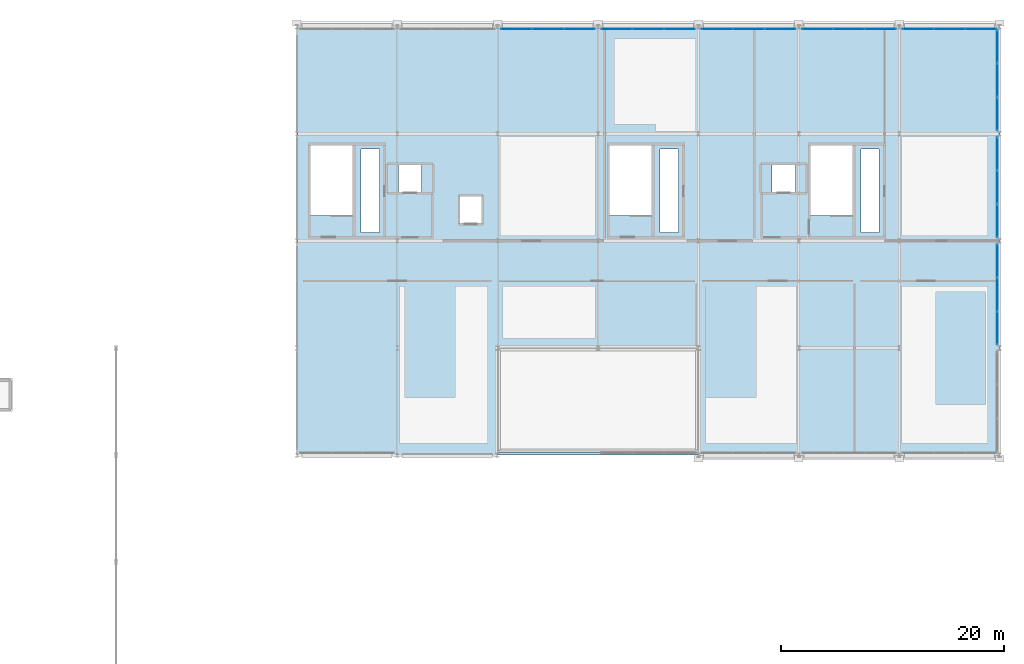
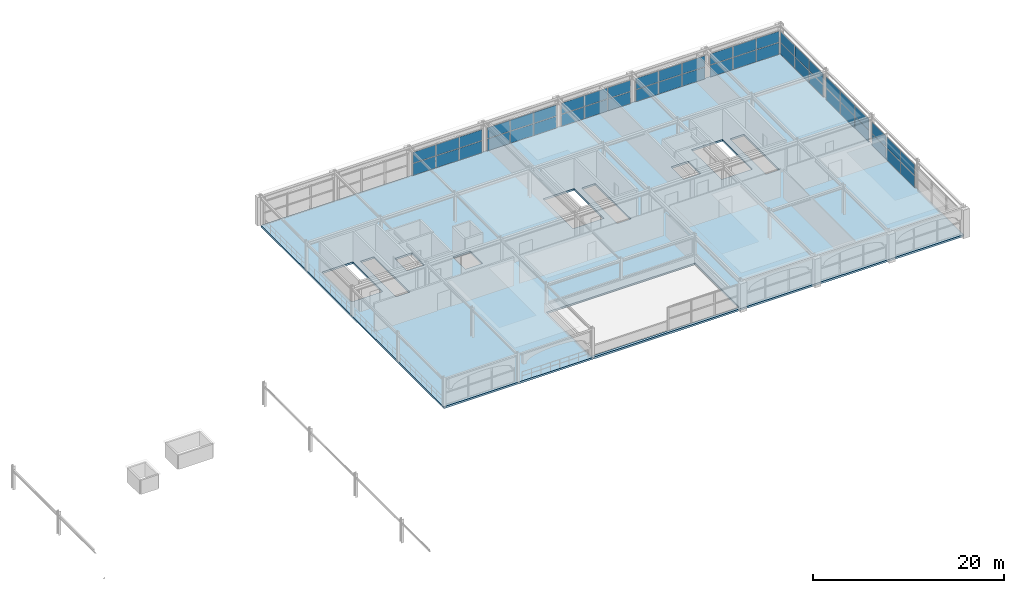
# One storey, part 18 of 25: 48 plates, 1 slab, 8 elements without a shape of their own.
"""IFC4 building model written with IfcOpenShell, lengths in metres."""

from ifc_helpers import new_model, si_unit, direction, frame, origin, origin_2d, place, context, subcontext, project, spatial, polyline, rectangle, outline, extrude, material, layer, layer_set, type_object, element, aggregate, save


model = new_model("IFC4")

# Units and contexts
model_context = context("Model", 3, precision=1e-05, world=origin(), true_north=direction((0.0, 1.0)))
body_context = subcontext(model_context, "Body", "Model", "MODEL_VIEW")
ifc_project = project(units=[si_unit("LENGTHUNIT", "METRE"), si_unit("AREAUNIT", "SQUARE_METRE"), si_unit("VOLUMEUNIT", "CUBIC_METRE"), si_unit("PLANEANGLEUNIT", "RADIAN"), si_unit("MASSUNIT", "GRAM", prefix="KILO")], contexts=[model_context])

# Site, building, storey
site_placement = place(None, origin())
site = spatial("IfcSite", under=ifc_project, at=site_placement, CompositionType="ELEMENT")
building_placement = place(site_placement, origin())
building = spatial("IfcBuilding", under=site, at=building_placement, Name="Myrtia Square Station", CompositionType="ELEMENT")
storey_placement = place(building_placement, frame((0.0, 0.0, 18.89990234375)))
storey = spatial("IfcBuildingStorey", under=building, at=storey_placement, Name="L04", CompositionType="ELEMENT", Elevation=18.89990234375)

# Curtain wall, plates
ifc_material_1 = material(Name="Dark bronze anodised aluminium", Category="aluminium")
ifc_layer_1 = layer(ifc_material_1, 0.159912109375, Name="Dark bronze anodised aluminium")
ifc_layer_set_1 = layer_set([ifc_layer_1], Name="Dark bronze anodised aluminium")
curtain_wall_type_1 = type_object("IfcCurtainWallType", Name="CW-TYPE-42-850x310", PredefinedType="USERDEFINED", material=ifc_layer_set_1)
curtain_wall_1_placement = place(storey_placement, origin())
curtain_wall_1 = element("IfcCurtainWall", 1, at=curtain_wall_1_placement, inside=storey, type_object=curtain_wall_type_1, Name="Concourse curtain wall CW-L04-139", ObjectType="CONCOURSE CURTAIN WALL", PredefinedType="USERDEFINED")
ifc_material_2 = material(Name="Tinted low-E solar control glass", Category="glass")
ifc_layer_2 = layer(ifc_material_2, 0.02392578125, Name="Tinted low-E solar control glass")
ifc_layer_set_2 = layer_set([ifc_layer_2], Name="Tinted low-E solar control glass")
plate_type_1 = type_object("IfcPlateType", Name="CWP-GLZ-24", PredefinedType="CURTAIN_PANEL", material=ifc_layer_set_2)
plate_1_placement = place(storey_placement, frame((163.682861328125, 124.60009765625, 0.06494140625), z_axis=(0.0, 0.0, 1.0), x_axis=(1.0, 0.0, 0.0)))
plate_1 = element("IfcPlate", 2, at=plate_1_placement, type_object=plate_type_1, Name="CW-139 panel 1.1", PredefinedType="CURTAIN_PANEL", context=body_context, shape_type="SweptSolid", body=[
    extrude(rectangle(XDim=2.73583984375, YDim=0.02392578125, at=origin_2d()), origin(), (0.0, 0.0, 1.0), 1.514404296875),
])
plate_2_placement = place(storey_placement, frame((163.682861328125, 124.60009765625, 1.64453125), z_axis=(0.0, 0.0, 1.0), x_axis=(1.0, 0.0, 0.0)))
plate_2 = element("IfcPlate", 3, at=plate_2_placement, type_object=plate_type_1, Name="CW-139 panel 1.2", PredefinedType="CURTAIN_PANEL", context=body_context, shape_type="SweptSolid", body=[
    extrude(rectangle(XDim=2.73583984375, YDim=0.02392578125, at=origin_2d()), origin(), (0.0, 0.0, 1.0), 1.390380859375),
])
plate_3_placement = place(storey_placement, frame((166.5, 124.60009765625, 0.06494140625), z_axis=(0.0, 0.0, 1.0), x_axis=(1.0, 0.0, 0.0)))
plate_3 = element("IfcPlate", 4, at=plate_3_placement, type_object=plate_type_1, Name="CW-139 panel 2.1", PredefinedType="CURTAIN_PANEL", context=body_context, shape_type="SweptSolid", body=[
    extrude(rectangle(XDim=2.768310546875, YDim=0.02392578125, at=origin_2d()), origin(), (0.0, 0.0, 1.0), 1.514404296875),
])
plate_4_placement = place(storey_placement, frame((166.5, 124.60009765625, 1.64453125), z_axis=(0.0, 0.0, 1.0), x_axis=(1.0, 0.0, 0.0)))
plate_4 = element("IfcPlate", 5, at=plate_4_placement, type_object=plate_type_1, Name="CW-139 panel 2.2", PredefinedType="CURTAIN_PANEL", context=body_context, shape_type="SweptSolid", body=[
    extrude(rectangle(XDim=2.768310546875, YDim=0.02392578125, at=origin_2d()), origin(), (0.0, 0.0, 1.0), 1.390380859375),
])
plate_5_placement = place(storey_placement, frame((169.317138671875, 124.60009765625, 0.06494140625), z_axis=(0.0, 0.0, 1.0), x_axis=(1.0, 0.0, 0.0)))
plate_5 = element("IfcPlate", 6, at=plate_5_placement, type_object=plate_type_1, Name="CW-139 panel 3.1", PredefinedType="CURTAIN_PANEL", context=body_context, shape_type="SweptSolid", body=[
    extrude(rectangle(XDim=2.73583984375, YDim=0.02392578125, at=origin_2d()), origin(), (0.0, 0.0, 1.0), 1.514404296875),
])
plate_6_placement = place(storey_placement, frame((169.317138671875, 124.60009765625, 1.64453125), z_axis=(0.0, 0.0, 1.0), x_axis=(1.0, 0.0, 0.0)))
plate_6 = element("IfcPlate", 7, at=plate_6_placement, type_object=plate_type_1, Name="CW-139 panel 3.2", PredefinedType="CURTAIN_PANEL", context=body_context, shape_type="SweptSolid", body=[
    extrude(rectangle(XDim=2.73583984375, YDim=0.02392578125, at=origin_2d()), origin(), (0.0, 0.0, 1.0), 1.390380859375),
])
aggregate(curtain_wall_1, [plate_1, plate_2, plate_3, plate_4, plate_5, plate_6])

ifc_layer_3 = layer(ifc_material_1, 0.159912109375, Name="Dark bronze anodised aluminium")
ifc_layer_set_3 = layer_set([ifc_layer_3], Name="Dark bronze anodised aluminium")
curtain_wall_type_2 = type_object("IfcCurtainWallType", Name="CW-TYPE-46-910x310", PredefinedType="USERDEFINED", material=ifc_layer_set_3)
curtain_wall_2_placement = place(storey_placement, origin())
curtain_wall_2 = element("IfcCurtainWall", 8, at=curtain_wall_2_placement, inside=storey, type_object=curtain_wall_type_2, Name="Concourse curtain wall CW-L04-154", ObjectType="CONCOURSE CURTAIN WALL", PredefinedType="USERDEFINED")
plate_7_placement = place(storey_placement, frame((188.800048828125, 116.9853515625, 0.0751953125), z_axis=(0.0, 0.0, 1.0), x_axis=(0.0, 1.0, 0.0)))
plate_7 = element("IfcPlate", 9, at=plate_7_placement, type_object=plate_type_1, Name="CW-154 panel 1.1", PredefinedType="CURTAIN_PANEL", context=body_context, shape_type="SweptSolid", body=[
    extrude(rectangle(XDim=2.9208984375, YDim=0.02392578125, at=origin_2d()), origin(), (0.0, 0.0, 1.0), 1.49951171875),
])
plate_8_placement = place(storey_placement, frame((188.800048828125, 116.9853515625, 1.649658203125), z_axis=(0.0, 0.0, 1.0), x_axis=(0.0, 1.0, 0.0)))
plate_8 = element("IfcPlate", 10, at=plate_8_placement, type_object=plate_type_1, Name="CW-154 panel 1.2", PredefinedType="CURTAIN_PANEL", context=body_context, shape_type="SweptSolid", body=[
    extrude(rectangle(XDim=2.9208984375, YDim=0.02392578125, at=origin_2d()), origin(), (0.0, 0.0, 1.0), 1.37548828125),
])
plate_9_placement = place(storey_placement, frame((188.800048828125, 120.0, 0.0751953125), z_axis=(0.0, 0.0, 1.0), x_axis=(0.0, 1.0, 0.0)))
plate_9 = element("IfcPlate", 11, at=plate_9_placement, type_object=plate_type_1, Name="CW-154 panel 2.1", PredefinedType="CURTAIN_PANEL", context=body_context, shape_type="SweptSolid", body=[
    extrude(rectangle(XDim=2.958251953125, YDim=0.02392578125, at=origin_2d()), origin(), (0.0, 0.0, 1.0), 1.49951171875),
])
plate_10_placement = place(storey_placement, frame((188.800048828125, 120.0, 1.649658203125), z_axis=(0.0, 0.0, 1.0), x_axis=(0.0, 1.0, 0.0)))
plate_10 = element("IfcPlate", 12, at=plate_10_placement, type_object=plate_type_1, Name="CW-154 panel 2.2", PredefinedType="CURTAIN_PANEL", context=body_context, shape_type="SweptSolid", body=[
    extrude(rectangle(XDim=2.958251953125, YDim=0.02392578125, at=origin_2d()), origin(), (0.0, 0.0, 1.0), 1.37548828125),
])
plate_11_placement = place(storey_placement, frame((188.800048828125, 123.0146484375, 0.0751953125), z_axis=(0.0, 0.0, 1.0), x_axis=(0.0, 1.0, 0.0)))
plate_11 = element("IfcPlate", 13, at=plate_11_placement, type_object=plate_type_1, Name="CW-154 panel 3.1", PredefinedType="CURTAIN_PANEL", context=body_context, shape_type="SweptSolid", body=[
    extrude(rectangle(XDim=2.9208984375, YDim=0.02392578125, at=origin_2d()), origin(), (0.0, 0.0, 1.0), 1.49951171875),
])
plate_12_placement = place(storey_placement, frame((188.800048828125, 123.0146484375, 1.649658203125), z_axis=(0.0, 0.0, 1.0), x_axis=(0.0, 1.0, 0.0)))
plate_12 = element("IfcPlate", 14, at=plate_12_placement, type_object=plate_type_1, Name="CW-154 panel 3.2", PredefinedType="CURTAIN_PANEL", context=body_context, shape_type="SweptSolid", body=[
    extrude(rectangle(XDim=2.9208984375, YDim=0.02392578125, at=origin_2d()), origin(), (0.0, 0.0, 1.0), 1.37548828125),
])
aggregate(curtain_wall_2, [plate_7, plate_8, plate_9, plate_10, plate_11, plate_12])

curtain_wall_3_placement = place(storey_placement, origin())
curtain_wall_3 = element("IfcCurtainWall", 15, at=curtain_wall_3_placement, inside=storey, type_object=curtain_wall_type_1, Name="Concourse curtain wall CW-L04-144", ObjectType="CONCOURSE CURTAIN WALL", PredefinedType="USERDEFINED")
ifc_layer_4 = layer(ifc_material_2, 0.028076171875, Name="Tinted low-E solar control glass")
ifc_layer_set_4 = layer_set([ifc_layer_4], Name="Tinted low-E solar control glass")
plate_type_2 = type_object("IfcPlateType", Name="CWP-GLZ-28", PredefinedType="CURTAIN_PANEL", material=ifc_layer_set_4)
plate_13_placement = place(storey_placement, frame((172.682861328125, 124.60009765625, 0.06494140625), z_axis=(0.0, 0.0, 1.0), x_axis=(1.0, 0.0, 0.0)))
plate_13 = element("IfcPlate", 16, at=plate_13_placement, type_object=plate_type_2, Name="CW-144 panel 1.1", PredefinedType="CURTAIN_PANEL", context=body_context, shape_type="SweptSolid", body=[
    extrude(rectangle(XDim=2.73583984375, YDim=0.028076171875, at=origin_2d()), origin(), (0.0, 0.0, 1.0), 1.514404296875),
])
plate_14_placement = place(storey_placement, frame((172.682861328125, 124.60009765625, 1.64453125), z_axis=(0.0, 0.0, 1.0), x_axis=(1.0, 0.0, 0.0)))
plate_14 = element("IfcPlate", 17, at=plate_14_placement, type_object=plate_type_2, Name="CW-144 panel 1.2", PredefinedType="CURTAIN_PANEL", context=body_context, shape_type="SweptSolid", body=[
    extrude(rectangle(XDim=2.73583984375, YDim=0.028076171875, at=origin_2d()), origin(), (0.0, 0.0, 1.0), 1.390380859375),
])
plate_15_placement = place(storey_placement, frame((175.5, 124.60009765625, 0.06494140625), z_axis=(0.0, 0.0, 1.0), x_axis=(1.0, 0.0, 0.0)))
plate_15 = element("IfcPlate", 18, at=plate_15_placement, type_object=plate_type_2, Name="CW-144 panel 2.1", PredefinedType="CURTAIN_PANEL", context=body_context, shape_type="SweptSolid", body=[
    extrude(rectangle(XDim=2.768310546875, YDim=0.028076171875, at=origin_2d()), origin(), (0.0, 0.0, 1.0), 1.514404296875),
])
plate_16_placement = place(storey_placement, frame((175.5, 124.60009765625, 1.64453125), z_axis=(0.0, 0.0, 1.0), x_axis=(1.0, 0.0, 0.0)))
plate_16 = element("IfcPlate", 19, at=plate_16_placement, type_object=plate_type_2, Name="CW-144 panel 2.2", PredefinedType="CURTAIN_PANEL", context=body_context, shape_type="SweptSolid", body=[
    extrude(rectangle(XDim=2.768310546875, YDim=0.028076171875, at=origin_2d()), origin(), (0.0, 0.0, 1.0), 1.390380859375),
])
plate_17_placement = place(storey_placement, frame((178.317138671875, 124.60009765625, 0.06494140625), z_axis=(0.0, 0.0, 1.0), x_axis=(1.0, 0.0, 0.0)))
plate_17 = element("IfcPlate", 20, at=plate_17_placement, type_object=plate_type_2, Name="CW-144 panel 3.1", PredefinedType="CURTAIN_PANEL", context=body_context, shape_type="SweptSolid", body=[
    extrude(rectangle(XDim=2.73583984375, YDim=0.028076171875, at=origin_2d()), origin(), (0.0, 0.0, 1.0), 1.514404296875),
])
plate_18_placement = place(storey_placement, frame((178.317138671875, 124.60009765625, 1.64453125), z_axis=(0.0, 0.0, 1.0), x_axis=(1.0, 0.0, 0.0)))
plate_18 = element("IfcPlate", 21, at=plate_18_placement, type_object=plate_type_2, Name="CW-144 panel 3.2", PredefinedType="CURTAIN_PANEL", context=body_context, shape_type="SweptSolid", body=[
    extrude(rectangle(XDim=2.73583984375, YDim=0.028076171875, at=origin_2d()), origin(), (0.0, 0.0, 1.0), 1.390380859375),
])
aggregate(curtain_wall_3, [plate_13, plate_14, plate_15, plate_16, plate_17, plate_18])

curtain_wall_4_placement = place(storey_placement, origin())
curtain_wall_4 = element("IfcCurtainWall", 22, at=curtain_wall_4_placement, inside=storey, type_object=curtain_wall_type_1, Name="Concourse curtain wall CW-L04-149", ObjectType="CONCOURSE CURTAIN WALL", PredefinedType="USERDEFINED")
ifc_layer_5 = layer(ifc_material_2, 0.031982421875, Name="Tinted low-E solar control glass")
ifc_layer_set_5 = layer_set([ifc_layer_5], Name="Tinted low-E solar control glass")
plate_type_3 = type_object("IfcPlateType", Name="CWP-GLZ-32", PredefinedType="CURTAIN_PANEL", material=ifc_layer_set_5)
plate_19_placement = place(storey_placement, frame((181.682861328125, 124.60009765625, 0.06494140625), z_axis=(0.0, 0.0, 1.0), x_axis=(1.0, 0.0, 0.0)))
plate_19 = element("IfcPlate", 23, at=plate_19_placement, type_object=plate_type_3, Name="CW-149 panel 1.1", PredefinedType="CURTAIN_PANEL", context=body_context, shape_type="SweptSolid", body=[
    extrude(rectangle(XDim=2.73583984375, YDim=0.031982421875, at=origin_2d()), origin(), (0.0, 0.0, 1.0), 1.514404296875),
])
plate_20_placement = place(storey_placement, frame((181.682861328125, 124.60009765625, 1.64453125), z_axis=(0.0, 0.0, 1.0), x_axis=(1.0, 0.0, 0.0)))
plate_20 = element("IfcPlate", 24, at=plate_20_placement, type_object=plate_type_3, Name="CW-149 panel 1.2", PredefinedType="CURTAIN_PANEL", context=body_context, shape_type="SweptSolid", body=[
    extrude(rectangle(XDim=2.73583984375, YDim=0.031982421875, at=origin_2d()), origin(), (0.0, 0.0, 1.0), 1.390380859375),
])
plate_21_placement = place(storey_placement, frame((184.5, 124.60009765625, 0.06494140625), z_axis=(0.0, 0.0, 1.0), x_axis=(1.0, 0.0, 0.0)))
plate_21 = element("IfcPlate", 25, at=plate_21_placement, type_object=plate_type_3, Name="CW-149 panel 2.1", PredefinedType="CURTAIN_PANEL", context=body_context, shape_type="SweptSolid", body=[
    extrude(rectangle(XDim=2.768310546875, YDim=0.031982421875, at=origin_2d()), origin(), (0.0, 0.0, 1.0), 1.514404296875),
])
plate_22_placement = place(storey_placement, frame((184.5, 124.60009765625, 1.64453125), z_axis=(0.0, 0.0, 1.0), x_axis=(1.0, 0.0, 0.0)))
plate_22 = element("IfcPlate", 26, at=plate_22_placement, type_object=plate_type_3, Name="CW-149 panel 2.2", PredefinedType="CURTAIN_PANEL", context=body_context, shape_type="SweptSolid", body=[
    extrude(rectangle(XDim=2.768310546875, YDim=0.031982421875, at=origin_2d()), origin(), (0.0, 0.0, 1.0), 1.390380859375),
])
plate_23_placement = place(storey_placement, frame((187.317138671875, 124.60009765625, 0.06494140625), z_axis=(0.0, 0.0, 1.0), x_axis=(1.0, 0.0, 0.0)))
plate_23 = element("IfcPlate", 27, at=plate_23_placement, type_object=plate_type_3, Name="CW-149 panel 3.1", PredefinedType="CURTAIN_PANEL", context=body_context, shape_type="SweptSolid", body=[
    extrude(rectangle(XDim=2.73583984375, YDim=0.031982421875, at=origin_2d()), origin(), (0.0, 0.0, 1.0), 1.514404296875),
])
plate_24_placement = place(storey_placement, frame((187.317138671875, 124.60009765625, 1.64453125), z_axis=(0.0, 0.0, 1.0), x_axis=(1.0, 0.0, 0.0)))
plate_24 = element("IfcPlate", 28, at=plate_24_placement, type_object=plate_type_3, Name="CW-149 panel 3.2", PredefinedType="CURTAIN_PANEL", context=body_context, shape_type="SweptSolid", body=[
    extrude(rectangle(XDim=2.73583984375, YDim=0.031982421875, at=origin_2d()), origin(), (0.0, 0.0, 1.0), 1.390380859375),
])
aggregate(curtain_wall_4, [plate_19, plate_20, plate_21, plate_22, plate_23, plate_24])

curtain_wall_5_placement = place(storey_placement, origin())
curtain_wall_5 = element("IfcCurtainWall", 29, at=curtain_wall_5_placement, inside=storey, type_object=curtain_wall_type_2, Name="Concourse curtain wall CW-L04-152", ObjectType="CONCOURSE CURTAIN WALL", PredefinedType="USERDEFINED")
plate_25_placement = place(storey_placement, frame((188.800048828125, 97.785400390625, 0.0751953125), z_axis=(0.0, 0.0, 1.0), x_axis=(0.0, 1.0, 0.0)))
plate_25 = element("IfcPlate", 30, at=plate_25_placement, type_object=plate_type_3, Name="CW-152 panel 1.1", PredefinedType="CURTAIN_PANEL", context=body_context, shape_type="SweptSolid", body=[
    extrude(rectangle(XDim=2.9208984375, YDim=0.031982421875, at=origin_2d()), origin(), (0.0, 0.0, 1.0), 1.49951171875),
])
plate_26_placement = place(storey_placement, frame((188.800048828125, 97.785400390625, 1.649658203125), z_axis=(0.0, 0.0, 1.0), x_axis=(0.0, 1.0, 0.0)))
plate_26 = element("IfcPlate", 31, at=plate_26_placement, type_object=plate_type_3, Name="CW-152 panel 1.2", PredefinedType="CURTAIN_PANEL", context=body_context, shape_type="SweptSolid", body=[
    extrude(rectangle(XDim=2.9208984375, YDim=0.031982421875, at=origin_2d()), origin(), (0.0, 0.0, 1.0), 1.37548828125),
])
plate_27_placement = place(storey_placement, frame((188.800048828125, 100.800048828125, 0.0751953125), z_axis=(0.0, 0.0, 1.0), x_axis=(0.0, 1.0, 0.0)))
plate_27 = element("IfcPlate", 32, at=plate_27_placement, type_object=plate_type_3, Name="CW-152 panel 2.1", PredefinedType="CURTAIN_PANEL", context=body_context, shape_type="SweptSolid", body=[
    extrude(rectangle(XDim=2.958251953125, YDim=0.031982421875, at=origin_2d()), origin(), (0.0, 0.0, 1.0), 1.49951171875),
])
plate_28_placement = place(storey_placement, frame((188.800048828125, 100.800048828125, 1.649658203125), z_axis=(0.0, 0.0, 1.0), x_axis=(0.0, 1.0, 0.0)))
plate_28 = element("IfcPlate", 33, at=plate_28_placement, type_object=plate_type_3, Name="CW-152 panel 2.2", PredefinedType="CURTAIN_PANEL", context=body_context, shape_type="SweptSolid", body=[
    extrude(rectangle(XDim=2.958251953125, YDim=0.031982421875, at=origin_2d()), origin(), (0.0, 0.0, 1.0), 1.37548828125),
])
plate_29_placement = place(storey_placement, frame((188.800048828125, 103.814697265625, 0.0751953125), z_axis=(0.0, 0.0, 1.0), x_axis=(0.0, 1.0, 0.0)))
plate_29 = element("IfcPlate", 34, at=plate_29_placement, type_object=plate_type_3, Name="CW-152 panel 3.1", PredefinedType="CURTAIN_PANEL", context=body_context, shape_type="SweptSolid", body=[
    extrude(rectangle(XDim=2.9208984375, YDim=0.031982421875, at=origin_2d()), origin(), (0.0, 0.0, 1.0), 1.49951171875),
])
plate_30_placement = place(storey_placement, frame((188.800048828125, 103.814697265625, 1.649658203125), z_axis=(0.0, 0.0, 1.0), x_axis=(0.0, 1.0, 0.0)))
plate_30 = element("IfcPlate", 35, at=plate_30_placement, type_object=plate_type_3, Name="CW-152 panel 3.2", PredefinedType="CURTAIN_PANEL", context=body_context, shape_type="SweptSolid", body=[
    extrude(rectangle(XDim=2.9208984375, YDim=0.031982421875, at=origin_2d()), origin(), (0.0, 0.0, 1.0), 1.37548828125),
])
aggregate(curtain_wall_5, [plate_25, plate_26, plate_27, plate_28, plate_29, plate_30])

curtain_wall_6_placement = place(storey_placement, origin())
curtain_wall_6 = element("IfcCurtainWall", 36, at=curtain_wall_6_placement, inside=storey, type_object=curtain_wall_type_1, Name="Concourse curtain wall CW-L04-130", ObjectType="CONCOURSE CURTAIN WALL", PredefinedType="USERDEFINED")
ifc_layer_6 = layer(ifc_material_2, 0.035888671875, Name="Tinted low-E solar control glass")
ifc_layer_set_6 = layer_set([ifc_layer_6], Name="Tinted low-E solar control glass")
plate_type_4 = type_object("IfcPlateType", Name="CWP-GLZ-36", PredefinedType="CURTAIN_PANEL", material=ifc_layer_set_6)
plate_31_placement = place(storey_placement, frame((145.682861328125, 124.60009765625, 0.06494140625), z_axis=(0.0, 0.0, 1.0), x_axis=(1.0, 0.0, 0.0)))
plate_31 = element("IfcPlate", 37, at=plate_31_placement, type_object=plate_type_4, Name="CW-130 panel 1.1", PredefinedType="CURTAIN_PANEL", context=body_context, shape_type="SweptSolid", body=[
    extrude(rectangle(XDim=2.73583984375, YDim=0.035888671875, at=origin_2d()), origin(), (0.0, 0.0, 1.0), 1.514404296875),
])
plate_32_placement = place(storey_placement, frame((145.682861328125, 124.60009765625, 1.64453125), z_axis=(0.0, 0.0, 1.0), x_axis=(1.0, 0.0, 0.0)))
plate_32 = element("IfcPlate", 38, at=plate_32_placement, type_object=plate_type_4, Name="CW-130 panel 1.2", PredefinedType="CURTAIN_PANEL", context=body_context, shape_type="SweptSolid", body=[
    extrude(rectangle(XDim=2.73583984375, YDim=0.035888671875, at=origin_2d()), origin(), (0.0, 0.0, 1.0), 1.390380859375),
])
plate_33_placement = place(storey_placement, frame((148.5, 124.60009765625, 0.06494140625), z_axis=(0.0, 0.0, 1.0), x_axis=(1.0, 0.0, 0.0)))
plate_33 = element("IfcPlate", 39, at=plate_33_placement, type_object=plate_type_4, Name="CW-130 panel 2.1", PredefinedType="CURTAIN_PANEL", context=body_context, shape_type="SweptSolid", body=[
    extrude(rectangle(XDim=2.768310546875, YDim=0.035888671875, at=origin_2d()), origin(), (0.0, 0.0, 1.0), 1.514404296875),
])
plate_34_placement = place(storey_placement, frame((148.5, 124.60009765625, 1.64453125), z_axis=(0.0, 0.0, 1.0), x_axis=(1.0, 0.0, 0.0)))
plate_34 = element("IfcPlate", 40, at=plate_34_placement, type_object=plate_type_4, Name="CW-130 panel 2.2", PredefinedType="CURTAIN_PANEL", context=body_context, shape_type="SweptSolid", body=[
    extrude(rectangle(XDim=2.768310546875, YDim=0.035888671875, at=origin_2d()), origin(), (0.0, 0.0, 1.0), 1.390380859375),
])
plate_35_placement = place(storey_placement, frame((151.317138671875, 124.60009765625, 0.06494140625), z_axis=(0.0, 0.0, 1.0), x_axis=(1.0, 0.0, 0.0)))
plate_35 = element("IfcPlate", 41, at=plate_35_placement, type_object=plate_type_4, Name="CW-130 panel 3.1", PredefinedType="CURTAIN_PANEL", context=body_context, shape_type="SweptSolid", body=[
    extrude(rectangle(XDim=2.73583984375, YDim=0.035888671875, at=origin_2d()), origin(), (0.0, 0.0, 1.0), 1.514404296875),
])
plate_36_placement = place(storey_placement, frame((151.317138671875, 124.60009765625, 1.64453125), z_axis=(0.0, 0.0, 1.0), x_axis=(1.0, 0.0, 0.0)))
plate_36 = element("IfcPlate", 42, at=plate_36_placement, type_object=plate_type_4, Name="CW-130 panel 3.2", PredefinedType="CURTAIN_PANEL", context=body_context, shape_type="SweptSolid", body=[
    extrude(rectangle(XDim=2.73583984375, YDim=0.035888671875, at=origin_2d()), origin(), (0.0, 0.0, 1.0), 1.390380859375),
])
aggregate(curtain_wall_6, [plate_31, plate_32, plate_33, plate_34, plate_35, plate_36])

curtain_wall_7_placement = place(storey_placement, origin())
curtain_wall_7 = element("IfcCurtainWall", 43, at=curtain_wall_7_placement, inside=storey, type_object=curtain_wall_type_1, Name="Concourse curtain wall CW-L04-134", ObjectType="CONCOURSE CURTAIN WALL", PredefinedType="USERDEFINED")
plate_37_placement = place(storey_placement, frame((154.682861328125, 124.60009765625, 0.06494140625), z_axis=(0.0, 0.0, 1.0), x_axis=(1.0, 0.0, 0.0)))
plate_37 = element("IfcPlate", 44, at=plate_37_placement, type_object=plate_type_4, Name="CW-134 panel 1.1", PredefinedType="CURTAIN_PANEL", context=body_context, shape_type="SweptSolid", body=[
    extrude(rectangle(XDim=2.73583984375, YDim=0.035888671875, at=origin_2d()), origin(), (0.0, 0.0, 1.0), 1.514404296875),
])
plate_38_placement = place(storey_placement, frame((154.682861328125, 124.60009765625, 1.64453125), z_axis=(0.0, 0.0, 1.0), x_axis=(1.0, 0.0, 0.0)))
plate_38 = element("IfcPlate", 45, at=plate_38_placement, type_object=plate_type_4, Name="CW-134 panel 1.2", PredefinedType="CURTAIN_PANEL", context=body_context, shape_type="SweptSolid", body=[
    extrude(rectangle(XDim=2.73583984375, YDim=0.035888671875, at=origin_2d()), origin(), (0.0, 0.0, 1.0), 1.390380859375),
])
plate_39_placement = place(storey_placement, frame((157.5, 124.60009765625, 0.06494140625), z_axis=(0.0, 0.0, 1.0), x_axis=(1.0, 0.0, 0.0)))
plate_39 = element("IfcPlate", 46, at=plate_39_placement, type_object=plate_type_4, Name="CW-134 panel 2.1", PredefinedType="CURTAIN_PANEL", context=body_context, shape_type="SweptSolid", body=[
    extrude(rectangle(XDim=2.768310546875, YDim=0.035888671875, at=origin_2d()), origin(), (0.0, 0.0, 1.0), 1.514404296875),
])
plate_40_placement = place(storey_placement, frame((157.5, 124.60009765625, 1.64453125), z_axis=(0.0, 0.0, 1.0), x_axis=(1.0, 0.0, 0.0)))
plate_40 = element("IfcPlate", 47, at=plate_40_placement, type_object=plate_type_4, Name="CW-134 panel 2.2", PredefinedType="CURTAIN_PANEL", context=body_context, shape_type="SweptSolid", body=[
    extrude(rectangle(XDim=2.768310546875, YDim=0.035888671875, at=origin_2d()), origin(), (0.0, 0.0, 1.0), 1.390380859375),
])
plate_41_placement = place(storey_placement, frame((160.317138671875, 124.60009765625, 0.06494140625), z_axis=(0.0, 0.0, 1.0), x_axis=(1.0, 0.0, 0.0)))
plate_41 = element("IfcPlate", 48, at=plate_41_placement, type_object=plate_type_4, Name="CW-134 panel 3.1", PredefinedType="CURTAIN_PANEL", context=body_context, shape_type="SweptSolid", body=[
    extrude(rectangle(XDim=2.73583984375, YDim=0.035888671875, at=origin_2d()), origin(), (0.0, 0.0, 1.0), 1.514404296875),
])
plate_42_placement = place(storey_placement, frame((160.317138671875, 124.60009765625, 1.64453125), z_axis=(0.0, 0.0, 1.0), x_axis=(1.0, 0.0, 0.0)))
plate_42 = element("IfcPlate", 49, at=plate_42_placement, type_object=plate_type_4, Name="CW-134 panel 3.2", PredefinedType="CURTAIN_PANEL", context=body_context, shape_type="SweptSolid", body=[
    extrude(rectangle(XDim=2.73583984375, YDim=0.035888671875, at=origin_2d()), origin(), (0.0, 0.0, 1.0), 1.390380859375),
])
aggregate(curtain_wall_7, [plate_37, plate_38, plate_39, plate_40, plate_41, plate_42])

curtain_wall_8_placement = place(storey_placement, origin())
curtain_wall_8 = element("IfcCurtainWall", 50, at=curtain_wall_8_placement, inside=storey, type_object=curtain_wall_type_2, Name="Concourse curtain wall CW-L04-153", ObjectType="CONCOURSE CURTAIN WALL", PredefinedType="USERDEFINED")
plate_43_placement = place(storey_placement, frame((188.800048828125, 107.385498046875, 0.0751953125), z_axis=(0.0, 0.0, 1.0), x_axis=(0.0, 1.0, 0.0)))
plate_43 = element("IfcPlate", 51, at=plate_43_placement, type_object=plate_type_4, Name="CW-153 panel 1.1", PredefinedType="CURTAIN_PANEL", context=body_context, shape_type="SweptSolid", body=[
    extrude(rectangle(XDim=2.9208984375, YDim=0.035888671875, at=origin_2d()), origin(), (0.0, 0.0, 1.0), 1.49951171875),
])
plate_44_placement = place(storey_placement, frame((188.800048828125, 107.385498046875, 1.649658203125), z_axis=(0.0, 0.0, 1.0), x_axis=(0.0, 1.0, 0.0)))
plate_44 = element("IfcPlate", 52, at=plate_44_placement, type_object=plate_type_4, Name="CW-153 panel 1.2", PredefinedType="CURTAIN_PANEL", context=body_context, shape_type="SweptSolid", body=[
    extrude(rectangle(XDim=2.9208984375, YDim=0.035888671875, at=origin_2d()), origin(), (0.0, 0.0, 1.0), 1.37548828125),
])
plate_45_placement = place(storey_placement, frame((188.800048828125, 110.39990234375, 0.0751953125), z_axis=(0.0, 0.0, 1.0), x_axis=(0.0, 1.0, 0.0)))
plate_45 = element("IfcPlate", 53, at=plate_45_placement, type_object=plate_type_4, Name="CW-153 panel 2.1", PredefinedType="CURTAIN_PANEL", context=body_context, shape_type="SweptSolid", body=[
    extrude(rectangle(XDim=2.958251953125, YDim=0.035888671875, at=origin_2d()), origin(), (0.0, 0.0, 1.0), 1.49951171875),
])
plate_46_placement = place(storey_placement, frame((188.800048828125, 110.39990234375, 1.649658203125), z_axis=(0.0, 0.0, 1.0), x_axis=(0.0, 1.0, 0.0)))
plate_46 = element("IfcPlate", 54, at=plate_46_placement, type_object=plate_type_4, Name="CW-153 panel 2.2", PredefinedType="CURTAIN_PANEL", context=body_context, shape_type="SweptSolid", body=[
    extrude(rectangle(XDim=2.958251953125, YDim=0.035888671875, at=origin_2d()), origin(), (0.0, 0.0, 1.0), 1.37548828125),
])
plate_47_placement = place(storey_placement, frame((188.800048828125, 113.41455078125, 0.0751953125), z_axis=(0.0, 0.0, 1.0), x_axis=(0.0, 1.0, 0.0)))
plate_47 = element("IfcPlate", 55, at=plate_47_placement, type_object=plate_type_4, Name="CW-153 panel 3.1", PredefinedType="CURTAIN_PANEL", context=body_context, shape_type="SweptSolid", body=[
    extrude(rectangle(XDim=2.9208984375, YDim=0.035888671875, at=origin_2d()), origin(), (0.0, 0.0, 1.0), 1.49951171875),
])
plate_48_placement = place(storey_placement, frame((188.800048828125, 113.41455078125, 1.649658203125), z_axis=(0.0, 0.0, 1.0), x_axis=(0.0, 1.0, 0.0)))
plate_48 = element("IfcPlate", 56, at=plate_48_placement, type_object=plate_type_4, Name="CW-153 panel 3.2", PredefinedType="CURTAIN_PANEL", context=body_context, shape_type="SweptSolid", body=[
    extrude(rectangle(XDim=2.9208984375, YDim=0.035888671875, at=origin_2d()), origin(), (0.0, 0.0, 1.0), 1.37548828125),
])
aggregate(curtain_wall_8, [plate_43, plate_44, plate_45, plate_46, plate_47, plate_48])

# Slab
ifc_material_3 = material(Name="Concrete C35/45", Category="concrete")
ifc_layer_7 = layer(ifc_material_3, 0.239990234375, Name="Concrete C35/45")
ifc_layer_set_7 = layer_set([ifc_layer_7], Name="Concrete C35/45")
slab_type = type_object("IfcSlabType", Name="SLB-FLR-240", PredefinedType="FLOOR", material=ifc_layer_set_7)
slab_placement = place(storey_placement, frame((0.0, 0.0, -0.239990234375)))
element("IfcSlab", 57, at=slab_placement, inside=storey, type_object=slab_type, Name="Structural floor slab SLB-L04-V5", PredefinedType="FLOOR", context=body_context, shape_type="SweptSolid", body=[
    extrude(outline(polyline([(126.0, 86.39990234375), (189.0, 86.39990234375), (189.0, 124.800048828125), (126.0, 124.800048828125), (126.0, 86.39990234375)]), holes=[polyline([(144.0, 86.699951171875), (144.0, 96.0), (162.0, 96.0), (162.0, 86.699951171875), (144.0, 86.699951171875)]), polyline([(131.75, 106.35009765625), (131.75, 113.85009765625), (133.39990234375, 113.85009765625), (133.39990234375, 106.35009765625), (131.75, 106.35009765625)]), polyline([(176.550048828125, 106.35009765625), (176.550048828125, 113.85009765625), (178.199951171875, 113.85009765625), (178.199951171875, 106.35009765625), (176.550048828125, 106.35009765625)]), polyline([(158.550048828125, 106.35009765625), (158.550048828125, 113.85009765625), (160.199951171875, 113.85009765625), (160.199951171875, 106.35009765625), (158.550048828125, 106.35009765625)]), polyline([(127.25, 107.8798828125), (127.25, 114.14990234375), (131.010009765625, 114.14990234375), (131.010009765625, 107.8798828125), (127.25, 107.8798828125)]), polyline([(172.050048828125, 107.8798828125), (172.050048828125, 114.14990234375), (175.81005859375, 114.14990234375), (175.81005859375, 107.8798828125), (172.050048828125, 107.8798828125)]), polyline([(154.050048828125, 107.8798828125), (154.050048828125, 114.14990234375), (157.81005859375, 114.14990234375), (157.81005859375, 107.8798828125), (154.050048828125, 107.8798828125)]), polyline([(140.550048828125, 107.10009765625), (140.550048828125, 109.699951171875), (142.64990234375, 109.699951171875), (142.64990234375, 107.10009765625), (140.550048828125, 107.10009765625)]), polyline([(135.10009765625, 109.889892578125), (135.10009765625, 112.489990234375), (137.199951171875, 112.489990234375), (137.199951171875, 109.889892578125), (135.10009765625, 109.889892578125)]), polyline([(168.60009765625, 109.889892578125), (168.60009765625, 112.489990234375), (170.699951171875, 112.489990234375), (170.699951171875, 109.889892578125), (168.60009765625, 109.889892578125)])]), origin(), (0.0, 0.0, 1.0), 0.239990234375),
])

save(model, "model.ifc")
